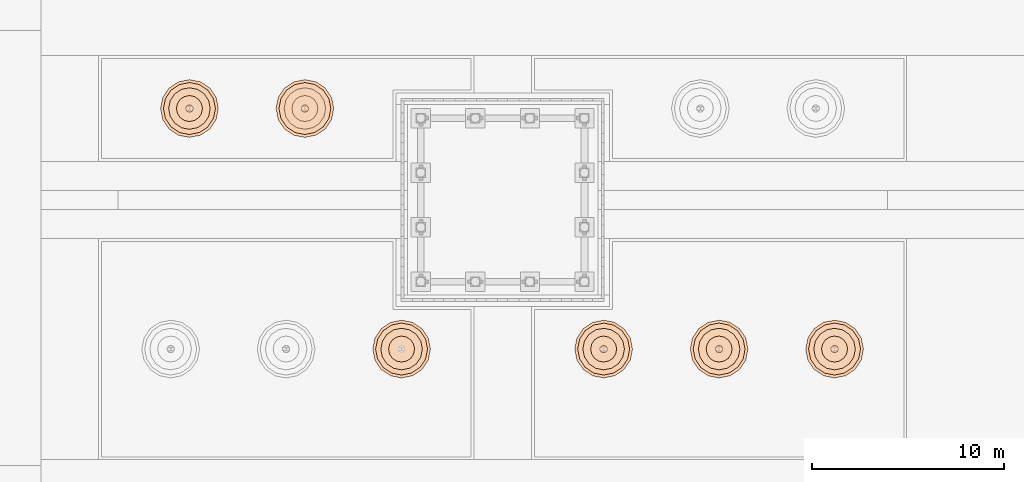
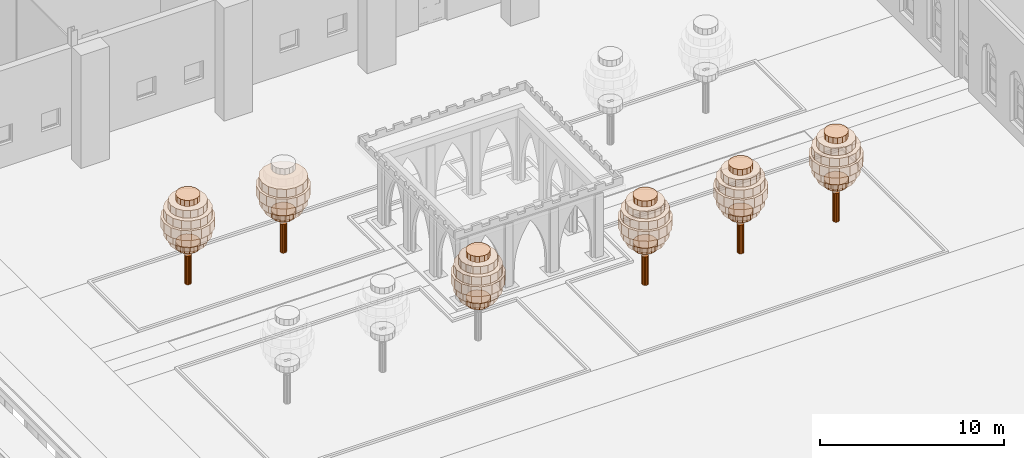
# One storey, part 241 of 250: 45 geographic elements.
"""IFC4 building model written with IfcOpenShell, lengths in metres."""

from ifc_helpers import new_model, si_unit, direction, frame, origin, place, context, subcontext, project, spatial, polyline, outline, extrude, material, type_object, element, save


model = new_model("IFC4")

# Units and contexts
model_context = context("Model", 3, precision=1e-05, world=origin(), true_north=direction((0.0, 1.0)))
body_context = subcontext(model_context, "Body", "Model", "MODEL_VIEW")
ifc_project = project(units=[si_unit("LENGTHUNIT", "METRE"), si_unit("AREAUNIT", "SQUARE_METRE"), si_unit("VOLUMEUNIT", "CUBIC_METRE"), si_unit("PLANEANGLEUNIT", "RADIAN"), si_unit("MASSUNIT", "GRAM", prefix="KILO")], contexts=[model_context])

# Site, building, storey
site_placement = place(None, origin())
site = spatial("IfcSite", under=ifc_project, at=site_placement, CompositionType="ELEMENT")
building_placement = place(site_placement, origin())
building = spatial("IfcBuilding", under=site, at=building_placement, Name="Baradari Gate Terminus", CompositionType="ELEMENT")
storey_placement = place(building_placement, origin())
storey = spatial("IfcBuildingStorey", under=building, at=storey_placement, Name="L00", CompositionType="ELEMENT", Elevation=0.0)

# Geographic elements
ifc_material_1 = material(Name="Planted foliage, green")
geographic_element_type_1 = type_object("IfcGeographicElementType", Name="Garden tree crown, belly layer TR-9 2700x550", PredefinedType="USERDEFINED", material=ifc_material_1)
for number, where, name in (
    (1, (0.0, 0.0, 3.300048828125), "Garden tree 15 crown 3"),
    (2, (0.0, 0.0, 4.5), "Garden tree 15 crown 5"),
):
    element("IfcGeographicElement", number, at=place(storey_placement, frame(where)), inside=storey, type_object=geographic_element_type_1, Name=name, ObjectType="TREE", PredefinedType="USERDEFINED", context=body_context, shape_type="SweptSolid", body=[
        extrude(outline(polyline([(29.10009765625, 89.75), (28.997314453125, 90.2666015625), (28.70458984375, 90.70458984375), (28.2666015625, 90.997314453125), (27.75, 91.10009765625), (27.2333984375, 90.997314453125), (26.79541015625, 90.70458984375), (26.502685546875, 90.2666015625), (26.39990234375, 89.75), (26.502685546875, 89.2333984375), (26.79541015625, 88.79541015625), (27.2333984375, 88.502685546875), (27.75, 88.39990234375), (28.2666015625, 88.502685546875), (28.70458984375, 88.79541015625), (28.997314453125, 89.2333984375), (29.10009765625, 89.75)])), origin(), (0.0, 0.0, 1.0), 0.550048828125),
    ])
for number, where, name in (
    (3, (0.0, 0.0, 3.300048828125), "Garden tree 16 crown 3"),
    (4, (0.0, 0.0, 4.5), "Garden tree 16 crown 5"),
):
    element("IfcGeographicElement", number, at=place(storey_placement, frame(where)), inside=storey, type_object=geographic_element_type_1, Name=name, ObjectType="TREE", PredefinedType="USERDEFINED", context=body_context, shape_type="SweptSolid", body=[
        extrude(outline(polyline([(18.074951171875, 102.25), (17.97216796875, 102.7666015625), (17.6796875, 103.20458984375), (17.24169921875, 103.497314453125), (16.72509765625, 103.60009765625), (16.20849609375, 103.497314453125), (15.7705078125, 103.20458984375), (15.477783203125, 102.7666015625), (15.375, 102.25), (15.477783203125, 101.7333984375), (15.7705078125, 101.29541015625), (16.20849609375, 101.002685546875), (16.72509765625, 100.89990234375), (17.24169921875, 101.002685546875), (17.6796875, 101.29541015625), (17.97216796875, 101.7333984375), (18.074951171875, 102.25)])), origin(), (0.0, 0.0, 1.0), 0.550048828125),
    ])
for number, where, name in (
    (5, (0.0, 0.0, 3.300048828125), "Garden tree 17 crown 3"),
    (6, (0.0, 0.0, 4.5), "Garden tree 17 crown 5"),
):
    element("IfcGeographicElement", number, at=place(storey_placement, frame(where)), inside=storey, type_object=geographic_element_type_1, Name=name, ObjectType="TREE", PredefinedType="USERDEFINED", context=body_context, shape_type="SweptSolid", body=[
        extrude(outline(polyline([(24.074951171875, 102.25), (23.97216796875, 102.7666015625), (23.6796875, 103.20458984375), (23.24169921875, 103.497314453125), (22.72509765625, 103.60009765625), (22.20849609375, 103.497314453125), (21.7705078125, 103.20458984375), (21.477783203125, 102.7666015625), (21.375, 102.25), (21.477783203125, 101.7333984375), (21.7705078125, 101.29541015625), (22.20849609375, 101.002685546875), (22.72509765625, 100.89990234375), (23.24169921875, 101.002685546875), (23.6796875, 101.29541015625), (23.97216796875, 101.7333984375), (24.074951171875, 102.25)])), origin(), (0.0, 0.0, 1.0), 0.550048828125),
    ])
for number, where, name in (
    (7, (0.0, 0.0, 3.300048828125), "Garden tree 18 crown 3"),
    (8, (0.0, 0.0, 4.5), "Garden tree 18 crown 5"),
):
    element("IfcGeographicElement", number, at=place(storey_placement, frame(where)), inside=storey, type_object=geographic_element_type_1, Name=name, ObjectType="TREE", PredefinedType="USERDEFINED", context=body_context, shape_type="SweptSolid", body=[
        extrude(outline(polyline([(39.60009765625, 89.75), (39.497314453125, 90.2666015625), (39.20458984375, 90.70458984375), (38.7666015625, 90.997314453125), (38.25, 91.10009765625), (37.7333984375, 90.997314453125), (37.29541015625, 90.70458984375), (37.002685546875, 90.2666015625), (36.89990234375, 89.75), (37.002685546875, 89.2333984375), (37.29541015625, 88.79541015625), (37.7333984375, 88.502685546875), (38.25, 88.39990234375), (38.7666015625, 88.502685546875), (39.20458984375, 88.79541015625), (39.497314453125, 89.2333984375), (39.60009765625, 89.75)])), origin(), (0.0, 0.0, 1.0), 0.550048828125),
    ])
for number, where, name in (
    (9, (0.0, 0.0, 3.300048828125), "Garden tree 19 crown 3"),
    (10, (0.0, 0.0, 4.5), "Garden tree 19 crown 5"),
):
    element("IfcGeographicElement", number, at=place(storey_placement, frame(where)), inside=storey, type_object=geographic_element_type_1, Name=name, ObjectType="TREE", PredefinedType="USERDEFINED", context=body_context, shape_type="SweptSolid", body=[
        extrude(outline(polyline([(45.60009765625, 89.75), (45.497314453125, 90.2666015625), (45.20458984375, 90.70458984375), (44.7666015625, 90.997314453125), (44.25, 91.10009765625), (43.7333984375, 90.997314453125), (43.29541015625, 90.70458984375), (43.002685546875, 90.2666015625), (42.89990234375, 89.75), (43.002685546875, 89.2333984375), (43.29541015625, 88.79541015625), (43.7333984375, 88.502685546875), (44.25, 88.39990234375), (44.7666015625, 88.502685546875), (45.20458984375, 88.79541015625), (45.497314453125, 89.2333984375), (45.60009765625, 89.75)])), origin(), (0.0, 0.0, 1.0), 0.550048828125),
    ])
for number, where, name in (
    (11, (0.0, 0.0, 3.300048828125), "Garden tree 20 crown 3"),
    (12, (0.0, 0.0, 4.5), "Garden tree 20 crown 5"),
):
    element("IfcGeographicElement", number, at=place(storey_placement, frame(where)), inside=storey, type_object=geographic_element_type_1, Name=name, ObjectType="TREE", PredefinedType="USERDEFINED", context=body_context, shape_type="SweptSolid", body=[
        extrude(outline(polyline([(51.60009765625, 89.75), (51.497314453125, 90.2666015625), (51.20458984375, 90.70458984375), (50.7666015625, 90.997314453125), (50.25, 91.10009765625), (49.7333984375, 90.997314453125), (49.29541015625, 90.70458984375), (49.002685546875, 90.2666015625), (48.89990234375, 89.75), (49.002685546875, 89.2333984375), (49.29541015625, 88.79541015625), (49.7333984375, 88.502685546875), (50.25, 88.39990234375), (50.7666015625, 88.502685546875), (51.20458984375, 88.79541015625), (51.497314453125, 89.2333984375), (51.60009765625, 89.75)])), origin(), (0.0, 0.0, 1.0), 0.550048828125),
    ])
ifc_material_2 = material(Name="Planted foliage, green")
geographic_element_type_2 = type_object("IfcGeographicElementType", Name="Garden tree crown, core layer TR-10 3000x650", PredefinedType="USERDEFINED", material=ifc_material_2)
geographic_element_1_placement = place(storey_placement, frame((0.0, 0.0, 3.85009765625)))
element("IfcGeographicElement", 13, at=geographic_element_1_placement, inside=storey, type_object=geographic_element_type_2, Name="Garden tree 15 crown 4", ObjectType="TREE", PredefinedType="USERDEFINED", context=body_context, shape_type="SweptSolid", body=[
    extrude(outline(polyline([(29.25, 89.75), (29.1357421875, 90.323974609375), (28.810546875, 90.810546875), (28.323974609375, 91.1357421875), (27.75, 91.25), (27.176025390625, 91.1357421875), (26.689453125, 90.810546875), (26.3642578125, 90.323974609375), (26.25, 89.75), (26.3642578125, 89.176025390625), (26.689453125, 88.689453125), (27.176025390625, 88.3642578125), (27.75, 88.25), (28.323974609375, 88.3642578125), (28.810546875, 88.689453125), (29.1357421875, 89.176025390625), (29.25, 89.75)])), origin(), (0.0, 0.0, 1.0), 0.64990234375),
])
geographic_element_2_placement = place(storey_placement, frame((0.0, 0.0, 3.85009765625)))
element("IfcGeographicElement", 14, at=geographic_element_2_placement, inside=storey, type_object=geographic_element_type_2, Name="Garden tree 16 crown 4", ObjectType="TREE", PredefinedType="USERDEFINED", context=body_context, shape_type="SweptSolid", body=[
    extrude(outline(polyline([(18.22509765625, 102.25), (18.11083984375, 102.823974609375), (17.78564453125, 103.310546875), (17.299072265625, 103.6357421875), (16.72509765625, 103.75), (16.15087890625, 103.6357421875), (15.664306640625, 103.310546875), (15.339111328125, 102.823974609375), (15.22509765625, 102.25), (15.339111328125, 101.676025390625), (15.664306640625, 101.189453125), (16.15087890625, 100.8642578125), (16.72509765625, 100.75), (17.299072265625, 100.8642578125), (17.78564453125, 101.189453125), (18.11083984375, 101.676025390625), (18.22509765625, 102.25)])), origin(), (0.0, 0.0, 1.0), 0.64990234375),
])
geographic_element_3_placement = place(storey_placement, frame((0.0, 0.0, 3.85009765625)))
element("IfcGeographicElement", 15, at=geographic_element_3_placement, inside=storey, type_object=geographic_element_type_2, Name="Garden tree 17 crown 4", ObjectType="TREE", PredefinedType="USERDEFINED", context=body_context, shape_type="SweptSolid", body=[
    extrude(outline(polyline([(24.22509765625, 102.25), (24.11083984375, 102.823974609375), (23.78564453125, 103.310546875), (23.299072265625, 103.6357421875), (22.72509765625, 103.75), (22.15087890625, 103.6357421875), (21.664306640625, 103.310546875), (21.339111328125, 102.823974609375), (21.22509765625, 102.25), (21.339111328125, 101.676025390625), (21.664306640625, 101.189453125), (22.15087890625, 100.8642578125), (22.72509765625, 100.75), (23.299072265625, 100.8642578125), (23.78564453125, 101.189453125), (24.11083984375, 101.676025390625), (24.22509765625, 102.25)])), origin(), (0.0, 0.0, 1.0), 0.64990234375),
])
geographic_element_4_placement = place(storey_placement, frame((0.0, 0.0, 3.85009765625)))
element("IfcGeographicElement", 16, at=geographic_element_4_placement, inside=storey, type_object=geographic_element_type_2, Name="Garden tree 18 crown 4", ObjectType="TREE", PredefinedType="USERDEFINED", context=body_context, shape_type="SweptSolid", body=[
    extrude(outline(polyline([(39.75, 89.75), (39.6357421875, 90.323974609375), (39.310546875, 90.810546875), (38.823974609375, 91.1357421875), (38.25, 91.25), (37.676025390625, 91.1357421875), (37.189453125, 90.810546875), (36.8642578125, 90.323974609375), (36.75, 89.75), (36.8642578125, 89.176025390625), (37.189453125, 88.689453125), (37.676025390625, 88.3642578125), (38.25, 88.25), (38.823974609375, 88.3642578125), (39.310546875, 88.689453125), (39.6357421875, 89.176025390625), (39.75, 89.75)])), origin(), (0.0, 0.0, 1.0), 0.64990234375),
])
geographic_element_5_placement = place(storey_placement, frame((0.0, 0.0, 3.85009765625)))
element("IfcGeographicElement", 17, at=geographic_element_5_placement, inside=storey, type_object=geographic_element_type_2, Name="Garden tree 19 crown 4", ObjectType="TREE", PredefinedType="USERDEFINED", context=body_context, shape_type="SweptSolid", body=[
    extrude(outline(polyline([(45.75, 89.75), (45.6357421875, 90.323974609375), (45.310546875, 90.810546875), (44.823974609375, 91.1357421875), (44.25, 91.25), (43.676025390625, 91.1357421875), (43.189453125, 90.810546875), (42.8642578125, 90.323974609375), (42.75, 89.75), (42.8642578125, 89.176025390625), (43.189453125, 88.689453125), (43.676025390625, 88.3642578125), (44.25, 88.25), (44.823974609375, 88.3642578125), (45.310546875, 88.689453125), (45.6357421875, 89.176025390625), (45.75, 89.75)])), origin(), (0.0, 0.0, 1.0), 0.64990234375),
])
geographic_element_6_placement = place(storey_placement, frame((0.0, 0.0, 3.85009765625)))
element("IfcGeographicElement", 18, at=geographic_element_6_placement, inside=storey, type_object=geographic_element_type_2, Name="Garden tree 20 crown 4", ObjectType="TREE", PredefinedType="USERDEFINED", context=body_context, shape_type="SweptSolid", body=[
    extrude(outline(polyline([(51.75, 89.75), (51.6357421875, 90.323974609375), (51.310546875, 90.810546875), (50.823974609375, 91.1357421875), (50.25, 91.25), (49.676025390625, 91.1357421875), (49.189453125, 90.810546875), (48.8642578125, 90.323974609375), (48.75, 89.75), (48.8642578125, 89.176025390625), (49.189453125, 88.689453125), (49.676025390625, 88.3642578125), (50.25, 88.25), (50.823974609375, 88.3642578125), (51.310546875, 88.689453125), (51.6357421875, 89.176025390625), (51.75, 89.75)])), origin(), (0.0, 0.0, 1.0), 0.64990234375),
])
ifc_material_3 = material(Name="Planted foliage, green")
geographic_element_type_3 = type_object("IfcGeographicElementType", Name="Garden tree crown, rim layer TR-7 1350x400", PredefinedType="USERDEFINED", material=ifc_material_3)
geographic_element_7_placement = place(storey_placement, frame((0.0, 0.0, 2.39990234375)))
element("IfcGeographicElement", 19, at=geographic_element_7_placement, inside=storey, type_object=geographic_element_type_3, Name="Garden tree 15 crown 1", ObjectType="TREE", PredefinedType="USERDEFINED", context=body_context, shape_type="SweptSolid", body=[
    extrude(outline(polyline([(28.425048828125, 89.75), (28.37353515625, 90.00830078125), (28.227294921875, 90.227294921875), (28.00830078125, 90.37353515625), (27.75, 90.425048828125), (27.49169921875, 90.37353515625), (27.272705078125, 90.227294921875), (27.12646484375, 90.00830078125), (27.074951171875, 89.75), (27.12646484375, 89.49169921875), (27.272705078125, 89.272705078125), (27.49169921875, 89.12646484375), (27.75, 89.074951171875), (28.00830078125, 89.12646484375), (28.227294921875, 89.272705078125), (28.37353515625, 89.49169921875), (28.425048828125, 89.75)])), origin(), (0.0, 0.0, 1.0), 0.400146484375),
])
geographic_element_8_placement = place(storey_placement, frame((0.0, 0.0, 5.550048828125)))
element("IfcGeographicElement", 20, at=geographic_element_8_placement, inside=storey, type_object=geographic_element_type_3, Name="Garden tree 15 crown 7", ObjectType="TREE", PredefinedType="USERDEFINED", context=body_context, shape_type="SweptSolid", body=[
    extrude(outline(polyline([(28.425048828125, 89.75), (28.37353515625, 90.00830078125), (28.227294921875, 90.227294921875), (28.00830078125, 90.37353515625), (27.75, 90.425048828125), (27.49169921875, 90.37353515625), (27.272705078125, 90.227294921875), (27.12646484375, 90.00830078125), (27.074951171875, 89.75), (27.12646484375, 89.49169921875), (27.272705078125, 89.272705078125), (27.49169921875, 89.12646484375), (27.75, 89.074951171875), (28.00830078125, 89.12646484375), (28.227294921875, 89.272705078125), (28.37353515625, 89.49169921875), (28.425048828125, 89.75)])), origin(), (0.0, 0.0, 1.0), 0.39990234375),
])
geographic_element_9_placement = place(storey_placement, frame((0.0, 0.0, 2.39990234375)))
element("IfcGeographicElement", 21, at=geographic_element_9_placement, inside=storey, type_object=geographic_element_type_3, Name="Garden tree 16 crown 1", ObjectType="TREE", PredefinedType="USERDEFINED", context=body_context, shape_type="SweptSolid", body=[
    extrude(outline(polyline([(17.39990234375, 102.25), (17.3486328125, 102.50830078125), (17.202392578125, 102.727294921875), (16.9833984375, 102.87353515625), (16.72509765625, 102.925048828125), (16.466796875, 102.87353515625), (16.247802734375, 102.727294921875), (16.101318359375, 102.50830078125), (16.050048828125, 102.25), (16.101318359375, 101.99169921875), (16.247802734375, 101.772705078125), (16.466796875, 101.62646484375), (16.72509765625, 101.574951171875), (16.9833984375, 101.62646484375), (17.202392578125, 101.772705078125), (17.3486328125, 101.99169921875), (17.39990234375, 102.25)])), origin(), (0.0, 0.0, 1.0), 0.400146484375),
])
geographic_element_10_placement = place(storey_placement, frame((0.0, 0.0, 5.550048828125)))
element("IfcGeographicElement", 22, at=geographic_element_10_placement, inside=storey, type_object=geographic_element_type_3, Name="Garden tree 16 crown 7", ObjectType="TREE", PredefinedType="USERDEFINED", context=body_context, shape_type="SweptSolid", body=[
    extrude(outline(polyline([(17.39990234375, 102.25), (17.3486328125, 102.50830078125), (17.202392578125, 102.727294921875), (16.9833984375, 102.87353515625), (16.72509765625, 102.925048828125), (16.466796875, 102.87353515625), (16.247802734375, 102.727294921875), (16.101318359375, 102.50830078125), (16.050048828125, 102.25), (16.101318359375, 101.99169921875), (16.247802734375, 101.772705078125), (16.466796875, 101.62646484375), (16.72509765625, 101.574951171875), (16.9833984375, 101.62646484375), (17.202392578125, 101.772705078125), (17.3486328125, 101.99169921875), (17.39990234375, 102.25)])), origin(), (0.0, 0.0, 1.0), 0.39990234375),
])
geographic_element_11_placement = place(storey_placement, frame((0.0, 0.0, 2.39990234375)))
element("IfcGeographicElement", 23, at=geographic_element_11_placement, inside=storey, type_object=geographic_element_type_3, Name="Garden tree 17 crown 1", ObjectType="TREE", PredefinedType="USERDEFINED", context=body_context, shape_type="SweptSolid", body=[
    extrude(outline(polyline([(23.39990234375, 102.25), (23.3486328125, 102.50830078125), (23.202392578125, 102.727294921875), (22.9833984375, 102.87353515625), (22.72509765625, 102.925048828125), (22.466796875, 102.87353515625), (22.247802734375, 102.727294921875), (22.101318359375, 102.50830078125), (22.050048828125, 102.25), (22.101318359375, 101.99169921875), (22.247802734375, 101.772705078125), (22.466796875, 101.62646484375), (22.72509765625, 101.574951171875), (22.9833984375, 101.62646484375), (23.202392578125, 101.772705078125), (23.3486328125, 101.99169921875), (23.39990234375, 102.25)])), origin(), (0.0, 0.0, 1.0), 0.400146484375),
])
geographic_element_12_placement = place(storey_placement, frame((0.0, 0.0, 2.39990234375)))
element("IfcGeographicElement", 24, at=geographic_element_12_placement, inside=storey, type_object=geographic_element_type_3, Name="Garden tree 18 crown 1", ObjectType="TREE", PredefinedType="USERDEFINED", context=body_context, shape_type="SweptSolid", body=[
    extrude(outline(polyline([(38.925048828125, 89.75), (38.87353515625, 90.00830078125), (38.727294921875, 90.227294921875), (38.50830078125, 90.37353515625), (38.25, 90.425048828125), (37.99169921875, 90.37353515625), (37.772705078125, 90.227294921875), (37.62646484375, 90.00830078125), (37.574951171875, 89.75), (37.62646484375, 89.49169921875), (37.772705078125, 89.272705078125), (37.99169921875, 89.12646484375), (38.25, 89.074951171875), (38.50830078125, 89.12646484375), (38.727294921875, 89.272705078125), (38.87353515625, 89.49169921875), (38.925048828125, 89.75)])), origin(), (0.0, 0.0, 1.0), 0.400146484375),
])
geographic_element_13_placement = place(storey_placement, frame((0.0, 0.0, 5.550048828125)))
element("IfcGeographicElement", 25, at=geographic_element_13_placement, inside=storey, type_object=geographic_element_type_3, Name="Garden tree 18 crown 7", ObjectType="TREE", PredefinedType="USERDEFINED", context=body_context, shape_type="SweptSolid", body=[
    extrude(outline(polyline([(38.925048828125, 89.75), (38.87353515625, 90.00830078125), (38.727294921875, 90.227294921875), (38.50830078125, 90.37353515625), (38.25, 90.425048828125), (37.99169921875, 90.37353515625), (37.772705078125, 90.227294921875), (37.62646484375, 90.00830078125), (37.574951171875, 89.75), (37.62646484375, 89.49169921875), (37.772705078125, 89.272705078125), (37.99169921875, 89.12646484375), (38.25, 89.074951171875), (38.50830078125, 89.12646484375), (38.727294921875, 89.272705078125), (38.87353515625, 89.49169921875), (38.925048828125, 89.75)])), origin(), (0.0, 0.0, 1.0), 0.39990234375),
])
geographic_element_14_placement = place(storey_placement, frame((0.0, 0.0, 2.39990234375)))
element("IfcGeographicElement", 26, at=geographic_element_14_placement, inside=storey, type_object=geographic_element_type_3, Name="Garden tree 19 crown 1", ObjectType="TREE", PredefinedType="USERDEFINED", context=body_context, shape_type="SweptSolid", body=[
    extrude(outline(polyline([(44.925048828125, 89.75), (44.87353515625, 90.00830078125), (44.727294921875, 90.227294921875), (44.50830078125, 90.37353515625), (44.25, 90.425048828125), (43.99169921875, 90.37353515625), (43.772705078125, 90.227294921875), (43.62646484375, 90.00830078125), (43.574951171875, 89.75), (43.62646484375, 89.49169921875), (43.772705078125, 89.272705078125), (43.99169921875, 89.12646484375), (44.25, 89.074951171875), (44.50830078125, 89.12646484375), (44.727294921875, 89.272705078125), (44.87353515625, 89.49169921875), (44.925048828125, 89.75)])), origin(), (0.0, 0.0, 1.0), 0.400146484375),
])
geographic_element_15_placement = place(storey_placement, frame((0.0, 0.0, 5.550048828125)))
element("IfcGeographicElement", 27, at=geographic_element_15_placement, inside=storey, type_object=geographic_element_type_3, Name="Garden tree 19 crown 7", ObjectType="TREE", PredefinedType="USERDEFINED", context=body_context, shape_type="SweptSolid", body=[
    extrude(outline(polyline([(44.925048828125, 89.75), (44.87353515625, 90.00830078125), (44.727294921875, 90.227294921875), (44.50830078125, 90.37353515625), (44.25, 90.425048828125), (43.99169921875, 90.37353515625), (43.772705078125, 90.227294921875), (43.62646484375, 90.00830078125), (43.574951171875, 89.75), (43.62646484375, 89.49169921875), (43.772705078125, 89.272705078125), (43.99169921875, 89.12646484375), (44.25, 89.074951171875), (44.50830078125, 89.12646484375), (44.727294921875, 89.272705078125), (44.87353515625, 89.49169921875), (44.925048828125, 89.75)])), origin(), (0.0, 0.0, 1.0), 0.39990234375),
])
geographic_element_16_placement = place(storey_placement, frame((0.0, 0.0, 2.39990234375)))
element("IfcGeographicElement", 28, at=geographic_element_16_placement, inside=storey, type_object=geographic_element_type_3, Name="Garden tree 20 crown 1", ObjectType="TREE", PredefinedType="USERDEFINED", context=body_context, shape_type="SweptSolid", body=[
    extrude(outline(polyline([(50.925048828125, 89.75), (50.87353515625, 90.00830078125), (50.727294921875, 90.227294921875), (50.50830078125, 90.37353515625), (50.25, 90.425048828125), (49.99169921875, 90.37353515625), (49.772705078125, 90.227294921875), (49.62646484375, 90.00830078125), (49.574951171875, 89.75), (49.62646484375, 89.49169921875), (49.772705078125, 89.272705078125), (49.99169921875, 89.12646484375), (50.25, 89.074951171875), (50.50830078125, 89.12646484375), (50.727294921875, 89.272705078125), (50.87353515625, 89.49169921875), (50.925048828125, 89.75)])), origin(), (0.0, 0.0, 1.0), 0.400146484375),
])
geographic_element_17_placement = place(storey_placement, frame((0.0, 0.0, 5.550048828125)))
element("IfcGeographicElement", 29, at=geographic_element_17_placement, inside=storey, type_object=geographic_element_type_3, Name="Garden tree 20 crown 7", ObjectType="TREE", PredefinedType="USERDEFINED", context=body_context, shape_type="SweptSolid", body=[
    extrude(outline(polyline([(50.925048828125, 89.75), (50.87353515625, 90.00830078125), (50.727294921875, 90.227294921875), (50.50830078125, 90.37353515625), (50.25, 90.425048828125), (49.99169921875, 90.37353515625), (49.772705078125, 90.227294921875), (49.62646484375, 90.00830078125), (49.574951171875, 89.75), (49.62646484375, 89.49169921875), (49.772705078125, 89.272705078125), (49.99169921875, 89.12646484375), (50.25, 89.074951171875), (50.50830078125, 89.12646484375), (50.727294921875, 89.272705078125), (50.87353515625, 89.49169921875), (50.925048828125, 89.75)])), origin(), (0.0, 0.0, 1.0), 0.39990234375),
])
ifc_material_4 = material(Name="Planted foliage, green")
geographic_element_type_4 = type_object("IfcGeographicElementType", Name="Garden tree crown, shoulder layer TR-8 2160x500", PredefinedType="USERDEFINED", material=ifc_material_4)
for number, where, name in (
    (30, (0.0, 0.0, 2.800048828125), "Garden tree 15 crown 2"),
    (31, (0.0, 0.0, 5.050048828125), "Garden tree 15 crown 6"),
):
    element("IfcGeographicElement", number, at=place(storey_placement, frame(where)), inside=storey, type_object=geographic_element_type_4, Name=name, ObjectType="TREE", PredefinedType="USERDEFINED", context=body_context, shape_type="SweptSolid", body=[
        extrude(outline(polyline([(28.830078125, 89.75), (28.747802734375, 90.163330078125), (28.513671875, 90.513671875), (28.163330078125, 90.747802734375), (27.75, 90.830078125), (27.336669921875, 90.747802734375), (26.986328125, 90.513671875), (26.752197265625, 90.163330078125), (26.669921875, 89.75), (26.752197265625, 89.336669921875), (26.986328125, 88.986328125), (27.336669921875, 88.752197265625), (27.75, 88.669921875), (28.163330078125, 88.752197265625), (28.513671875, 88.986328125), (28.747802734375, 89.336669921875), (28.830078125, 89.75)])), origin(), (0.0, 0.0, 1.0), 0.5),
    ])
for number, where, name in (
    (32, (0.0, 0.0, 2.800048828125), "Garden tree 16 crown 2"),
    (33, (0.0, 0.0, 5.050048828125), "Garden tree 16 crown 6"),
):
    element("IfcGeographicElement", number, at=place(storey_placement, frame(where)), inside=storey, type_object=geographic_element_type_4, Name=name, ObjectType="TREE", PredefinedType="USERDEFINED", context=body_context, shape_type="SweptSolid", body=[
        extrude(outline(polyline([(17.804931640625, 102.25), (17.722900390625, 102.663330078125), (17.48876953125, 103.013671875), (17.13818359375, 103.247802734375), (16.72509765625, 103.330078125), (16.311767578125, 103.247802734375), (15.96142578125, 103.013671875), (15.727294921875, 102.663330078125), (15.64501953125, 102.25), (15.727294921875, 101.836669921875), (15.96142578125, 101.486328125), (16.311767578125, 101.252197265625), (16.72509765625, 101.169921875), (17.13818359375, 101.252197265625), (17.48876953125, 101.486328125), (17.722900390625, 101.836669921875), (17.804931640625, 102.25)])), origin(), (0.0, 0.0, 1.0), 0.5),
    ])
geographic_element_18_placement = place(storey_placement, frame((0.0, 0.0, 2.800048828125)))
element("IfcGeographicElement", 34, at=geographic_element_18_placement, inside=storey, type_object=geographic_element_type_4, Name="Garden tree 17 crown 2", ObjectType="TREE", PredefinedType="USERDEFINED", context=body_context, shape_type="SweptSolid", body=[
    extrude(outline(polyline([(23.804931640625, 102.25), (23.722900390625, 102.663330078125), (23.48876953125, 103.013671875), (23.13818359375, 103.247802734375), (22.72509765625, 103.330078125), (22.311767578125, 103.247802734375), (21.96142578125, 103.013671875), (21.727294921875, 102.663330078125), (21.64501953125, 102.25), (21.727294921875, 101.836669921875), (21.96142578125, 101.486328125), (22.311767578125, 101.252197265625), (22.72509765625, 101.169921875), (23.13818359375, 101.252197265625), (23.48876953125, 101.486328125), (23.722900390625, 101.836669921875), (23.804931640625, 102.25)])), origin(), (0.0, 0.0, 1.0), 0.5),
])
for number, where, name in (
    (35, (0.0, 0.0, 2.800048828125), "Garden tree 18 crown 2"),
    (36, (0.0, 0.0, 5.050048828125), "Garden tree 18 crown 6"),
):
    element("IfcGeographicElement", number, at=place(storey_placement, frame(where)), inside=storey, type_object=geographic_element_type_4, Name=name, ObjectType="TREE", PredefinedType="USERDEFINED", context=body_context, shape_type="SweptSolid", body=[
        extrude(outline(polyline([(39.330078125, 89.75), (39.247802734375, 90.163330078125), (39.013671875, 90.513671875), (38.663330078125, 90.747802734375), (38.25, 90.830078125), (37.836669921875, 90.747802734375), (37.486328125, 90.513671875), (37.252197265625, 90.163330078125), (37.169921875, 89.75), (37.252197265625, 89.336669921875), (37.486328125, 88.986328125), (37.836669921875, 88.752197265625), (38.25, 88.669921875), (38.663330078125, 88.752197265625), (39.013671875, 88.986328125), (39.247802734375, 89.336669921875), (39.330078125, 89.75)])), origin(), (0.0, 0.0, 1.0), 0.5),
    ])
for number, where, name in (
    (37, (0.0, 0.0, 2.800048828125), "Garden tree 19 crown 2"),
    (38, (0.0, 0.0, 5.050048828125), "Garden tree 19 crown 6"),
):
    element("IfcGeographicElement", number, at=place(storey_placement, frame(where)), inside=storey, type_object=geographic_element_type_4, Name=name, ObjectType="TREE", PredefinedType="USERDEFINED", context=body_context, shape_type="SweptSolid", body=[
        extrude(outline(polyline([(45.330078125, 89.75), (45.247802734375, 90.163330078125), (45.013671875, 90.513671875), (44.663330078125, 90.747802734375), (44.25, 90.830078125), (43.836669921875, 90.747802734375), (43.486328125, 90.513671875), (43.252197265625, 90.163330078125), (43.169921875, 89.75), (43.252197265625, 89.336669921875), (43.486328125, 88.986328125), (43.836669921875, 88.752197265625), (44.25, 88.669921875), (44.663330078125, 88.752197265625), (45.013671875, 88.986328125), (45.247802734375, 89.336669921875), (45.330078125, 89.75)])), origin(), (0.0, 0.0, 1.0), 0.5),
    ])
for number, where, name in (
    (39, (0.0, 0.0, 2.800048828125), "Garden tree 20 crown 2"),
    (40, (0.0, 0.0, 5.050048828125), "Garden tree 20 crown 6"),
):
    element("IfcGeographicElement", number, at=place(storey_placement, frame(where)), inside=storey, type_object=geographic_element_type_4, Name=name, ObjectType="TREE", PredefinedType="USERDEFINED", context=body_context, shape_type="SweptSolid", body=[
        extrude(outline(polyline([(51.330078125, 89.75), (51.247802734375, 90.163330078125), (51.013671875, 90.513671875), (50.663330078125, 90.747802734375), (50.25, 90.830078125), (49.836669921875, 90.747802734375), (49.486328125, 90.513671875), (49.252197265625, 90.163330078125), (49.169921875, 89.75), (49.252197265625, 89.336669921875), (49.486328125, 88.986328125), (49.836669921875, 88.752197265625), (50.25, 88.669921875), (50.663330078125, 88.752197265625), (51.013671875, 88.986328125), (51.247802734375, 89.336669921875), (51.330078125, 89.75)])), origin(), (0.0, 0.0, 1.0), 0.5),
    ])
ifc_material_5 = material(Name="Timber, hardwood", Category="wood")
geographic_element_type_5 = type_object("IfcGeographicElementType", Name="Garden tree trunk TR-6 380x1900", PredefinedType="USERDEFINED", material=ifc_material_5)
geographic_element_19_placement = place(storey_placement, origin())
element("IfcGeographicElement", 41, at=geographic_element_19_placement, inside=storey, type_object=geographic_element_type_5, Name="Garden tree 16 trunk", ObjectType="TREE", PredefinedType="USERDEFINED", context=body_context, shape_type="SweptSolid", body=[
    extrude(outline(polyline([(16.9150390625, 102.25), (16.900634765625, 102.32275390625), (16.859375, 102.38427734375), (16.797607421875, 102.425537109375), (16.72509765625, 102.43994140625), (16.65234375, 102.425537109375), (16.590576171875, 102.38427734375), (16.549560546875, 102.32275390625), (16.534912109375, 102.25), (16.549560546875, 102.17724609375), (16.590576171875, 102.11572265625), (16.65234375, 102.074462890625), (16.72509765625, 102.06005859375), (16.797607421875, 102.074462890625), (16.859375, 102.11572265625), (16.900634765625, 102.17724609375), (16.9150390625, 102.25)])), origin(), (0.0, 0.0, 1.0), 1.89990234375),
])
geographic_element_20_placement = place(storey_placement, origin())
element("IfcGeographicElement", 42, at=geographic_element_20_placement, inside=storey, type_object=geographic_element_type_5, Name="Garden tree 17 trunk", ObjectType="TREE", PredefinedType="USERDEFINED", context=body_context, shape_type="SweptSolid", body=[
    extrude(outline(polyline([(22.9150390625, 102.25), (22.900634765625, 102.32275390625), (22.859375, 102.38427734375), (22.797607421875, 102.425537109375), (22.72509765625, 102.43994140625), (22.65234375, 102.425537109375), (22.590576171875, 102.38427734375), (22.549560546875, 102.32275390625), (22.534912109375, 102.25), (22.549560546875, 102.17724609375), (22.590576171875, 102.11572265625), (22.65234375, 102.074462890625), (22.72509765625, 102.06005859375), (22.797607421875, 102.074462890625), (22.859375, 102.11572265625), (22.900634765625, 102.17724609375), (22.9150390625, 102.25)])), origin(), (0.0, 0.0, 1.0), 1.89990234375),
])
geographic_element_21_placement = place(storey_placement, origin())
element("IfcGeographicElement", 43, at=geographic_element_21_placement, inside=storey, type_object=geographic_element_type_5, Name="Garden tree 18 trunk", ObjectType="TREE", PredefinedType="USERDEFINED", context=body_context, shape_type="SweptSolid", body=[
    extrude(outline(polyline([(38.43994140625, 89.75), (38.425537109375, 89.82275390625), (38.38427734375, 89.88427734375), (38.32275390625, 89.925537109375), (38.25, 89.93994140625), (38.17724609375, 89.925537109375), (38.11572265625, 89.88427734375), (38.074462890625, 89.82275390625), (38.06005859375, 89.75), (38.074462890625, 89.67724609375), (38.11572265625, 89.61572265625), (38.17724609375, 89.574462890625), (38.25, 89.56005859375), (38.32275390625, 89.574462890625), (38.38427734375, 89.61572265625), (38.425537109375, 89.67724609375), (38.43994140625, 89.75)])), origin(), (0.0, 0.0, 1.0), 1.89990234375),
])
geographic_element_22_placement = place(storey_placement, origin())
element("IfcGeographicElement", 44, at=geographic_element_22_placement, inside=storey, type_object=geographic_element_type_5, Name="Garden tree 19 trunk", ObjectType="TREE", PredefinedType="USERDEFINED", context=body_context, shape_type="SweptSolid", body=[
    extrude(outline(polyline([(44.43994140625, 89.75), (44.425537109375, 89.82275390625), (44.38427734375, 89.88427734375), (44.32275390625, 89.925537109375), (44.25, 89.93994140625), (44.17724609375, 89.925537109375), (44.11572265625, 89.88427734375), (44.074462890625, 89.82275390625), (44.06005859375, 89.75), (44.074462890625, 89.67724609375), (44.11572265625, 89.61572265625), (44.17724609375, 89.574462890625), (44.25, 89.56005859375), (44.32275390625, 89.574462890625), (44.38427734375, 89.61572265625), (44.425537109375, 89.67724609375), (44.43994140625, 89.75)])), origin(), (0.0, 0.0, 1.0), 1.89990234375),
])
geographic_element_23_placement = place(storey_placement, origin())
element("IfcGeographicElement", 45, at=geographic_element_23_placement, inside=storey, type_object=geographic_element_type_5, Name="Garden tree 20 trunk", ObjectType="TREE", PredefinedType="USERDEFINED", context=body_context, shape_type="SweptSolid", body=[
    extrude(outline(polyline([(50.43994140625, 89.75), (50.425537109375, 89.82275390625), (50.38427734375, 89.88427734375), (50.32275390625, 89.925537109375), (50.25, 89.93994140625), (50.17724609375, 89.925537109375), (50.11572265625, 89.88427734375), (50.074462890625, 89.82275390625), (50.06005859375, 89.75), (50.074462890625, 89.67724609375), (50.11572265625, 89.61572265625), (50.17724609375, 89.574462890625), (50.25, 89.56005859375), (50.32275390625, 89.574462890625), (50.38427734375, 89.61572265625), (50.425537109375, 89.67724609375), (50.43994140625, 89.75)])), origin(), (0.0, 0.0, 1.0), 1.89990234375),
])

save(model, "model.ifc")
